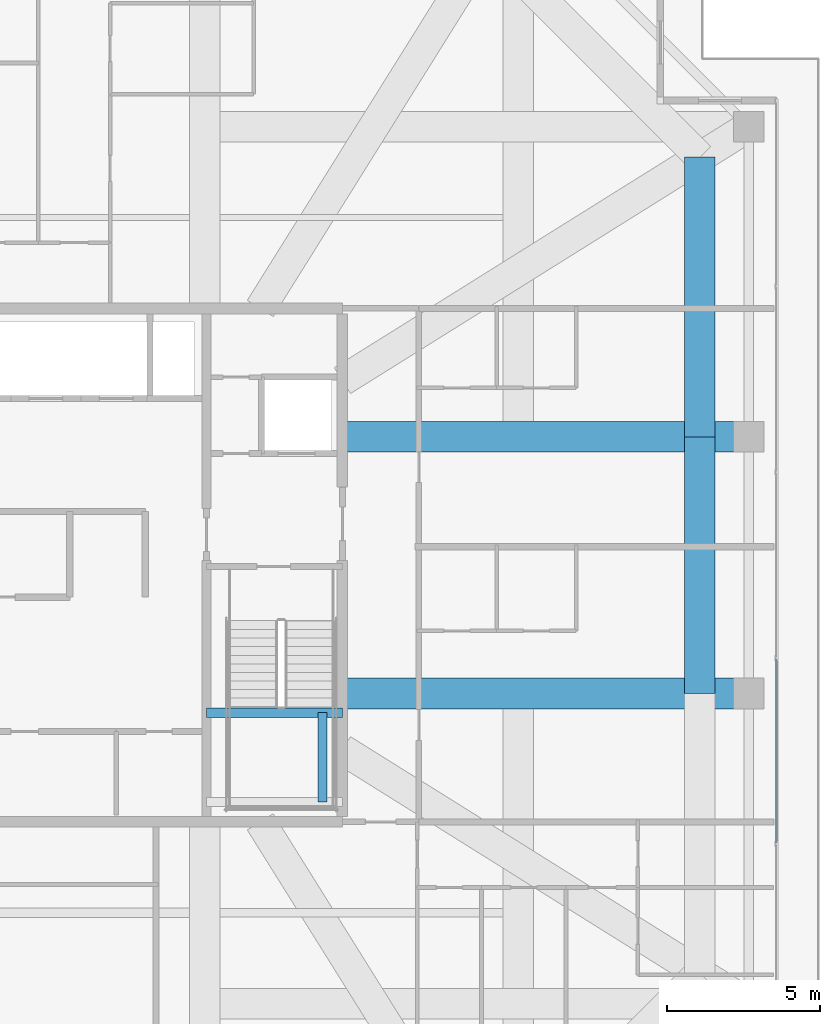
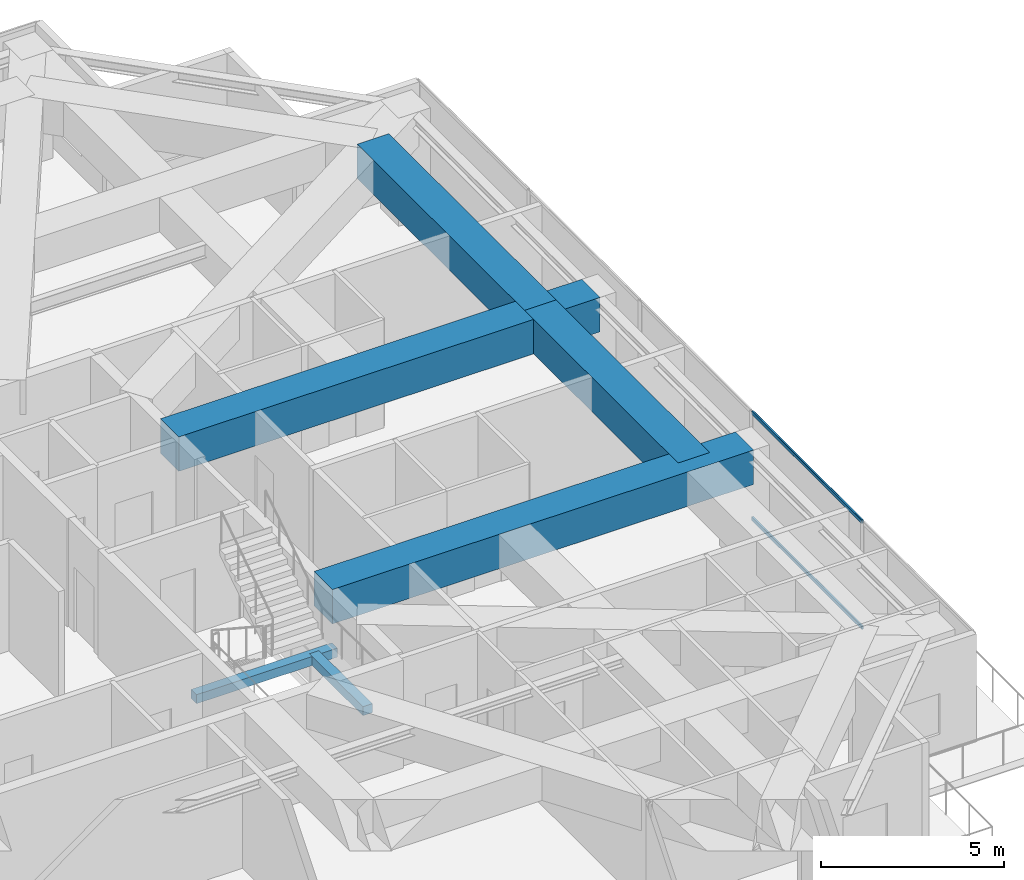
# One storey, part 18 of 40: 6 beams, 2 members, 1 element without a shape of its own.
"""IFC4 building model written with IfcOpenShell, lengths in metres."""

from ifc_helpers import new_model, si_unit, direction, frame, origin, origin_2d, place, context, subcontext, project, spatial, rectangle, hollow_rectangle, extrude, source, transform, mapped, material, layer, layer_set, material_profile, profile_set, type_object, element, aggregate, save


model = new_model("IFC4")

# Units and contexts
model_context = context("Model", 3, precision=1e-05, world=origin(), true_north=direction((0.0, 1.0)))
body_context = subcontext(model_context, "Body", "Model", "MODEL_VIEW")
ifc_project = project(units=[si_unit("LENGTHUNIT", "METRE"), si_unit("AREAUNIT", "SQUARE_METRE"), si_unit("VOLUMEUNIT", "CUBIC_METRE"), si_unit("PLANEANGLEUNIT", "RADIAN"), si_unit("MASSUNIT", "GRAM", prefix="KILO")], contexts=[model_context])

# Site, building, storey
site_placement = place(None, origin())
site = spatial("IfcSite", under=ifc_project, at=site_placement, CompositionType="ELEMENT")
building_placement = place(site_placement, origin())
building = spatial("IfcBuilding", under=site, at=building_placement, Name="Serunith Strait Residences", CompositionType="ELEMENT")
storey_placement = place(building_placement, frame((0.0, 0.0, 333.949951171875)))
storey = spatial("IfcBuildingStorey", under=building, at=storey_placement, Name="L83", CompositionType="ELEMENT", Elevation=333.949951171875)

# Beams
ifc_material_1 = material(Name="Concrete C80/95", Category="concrete")
ifc_material_profile_1 = material_profile(ifc_material_1, rectangle(XDim=1.0, YDim=1.14990234375, at=origin_2d()), Name="RC 1000x1150")
ifc_profile_set_1 = profile_set([ifc_material_profile_1], Name="Concrete C80/95")
beam_type_1 = type_object("IfcBeamType", Name="BM-XFER-1000x1150", PredefinedType="BEAM", material=ifc_profile_set_1)
shared_shape_1 = source(origin(), body_context, "Body", "SweptSolid", [
    extrude(rectangle(XDim=1.0, YDim=1.14990234375, at=origin_2d()), origin(), (0.0, 0.0, 1.0), 8.39990234375),
])
beam_1_placement = place(storey_placement, frame((53.10009765625, 21.0, 3.03515625), z_axis=(0.0, 1.0, 0.0), x_axis=(-1.0, 0.0, 0.0)))
element("IfcBeam", 1, at=beam_1_placement, inside=storey, type_object=beam_type_1, Name="L83 Flare Upper Ring Transfer Girder 06", PredefinedType="BEAM", context=body_context, shape_type="MappedRepresentation", body=[
    mapped(shared_shape_1, transform((0.0, 0.0, 0.0), scale=1.0)),
])
shared_shape_2 = source(origin(), body_context, "Body", "SweptSolid", [
    extrude(rectangle(XDim=1.0, YDim=1.14990234375, at=origin_2d()), origin(), (0.0, 0.0, 1.0), 13.300048828125),
])
for number, where, z_axis, x_axis, name in (
    (2, (41.39990234375, 21.0, 3.03515625), (1.0, 0.0, 0.0), (0.0, 1.0, 0.0), "L83 Primary Floor Girder TC-E2"),
    (3, (41.39990234375, 29.39990234375, 3.03515625), (1.0, 0.0, 0.0), (0.0, 1.0, 0.0), "L83 Primary Floor Girder TC-E3"),
):
    element("IfcBeam", number, at=place(storey_placement, frame(where, z_axis=z_axis, x_axis=x_axis)), inside=storey, type_object=beam_type_1, Name=name, PredefinedType="BEAM", context=body_context, shape_type="MappedRepresentation", body=[
        mapped(shared_shape_2, transform((0.0, 0.0, 0.0), scale=1.0)),
    ])
shared_shape_3 = source(origin(), body_context, "Body", "SweptSolid", [
    extrude(rectangle(XDim=1.0, YDim=1.14990234375, at=origin_2d()), origin(), (0.0, 0.0, 1.0), 9.150146484375),
])
beam_2_placement = place(storey_placement, frame((53.10009765625, 29.39990234375, 3.03515625), z_axis=(0.0, 1.0, 0.0), x_axis=(-1.0, 0.0, 0.0)))
element("IfcBeam", 4, at=beam_2_placement, inside=storey, type_object=beam_type_1, Name="L83 Flare Upper Ring Transfer Girder 07", PredefinedType="BEAM", context=body_context, shape_type="MappedRepresentation", body=[
    mapped(shared_shape_3, transform((0.0, 0.0, 0.0), scale=1.0)),
])
ifc_material_2 = material(Name="Concrete C60/75", Category="concrete")
ifc_material_profile_2 = material_profile(ifc_material_2, rectangle(XDim=0.300048828125, YDim=0.300048828125, at=origin_2d()), Name="RC 300x300")
ifc_profile_set_2 = profile_set([ifc_material_profile_2], Name="Concrete C60/75")
beam_type_2 = type_object("IfcBeamType", Name="BM-LAND-300x300", PredefinedType="BEAM", material=ifc_profile_set_2)
shared_shape_4 = source(origin(), body_context, "Body", "SweptSolid", [
    extrude(rectangle(XDim=0.300048828125, YDim=0.300048828125, at=origin_2d()), origin(), (0.0, 0.0, 1.0), 4.449951171875),
])
beam_3_placement = place(storey_placement, frame((36.949951171875, 20.3701171875, 1.675048828125), z_axis=(1.0, 0.0, 0.0), x_axis=(0.0, 1.0, 0.0)))
element("IfcBeam", 5, at=beam_3_placement, inside=storey, type_object=beam_type_2, Name="L83 ST-2 Landing Support Beam 2", PredefinedType="BEAM", context=body_context, shape_type="MappedRepresentation", body=[
    mapped(shared_shape_4, transform((0.0, 0.0, 0.0), scale=1.0)),
])
shared_shape_5 = source(origin(), body_context, "Body", "SweptSolid", [
    extrude(rectangle(XDim=0.300048828125, YDim=0.300048828125, at=origin_2d()), origin(), (0.0, 0.0, 1.0), 2.920166015625),
])
beam_4_placement = place(storey_placement, frame((40.75, 17.449951171875, 1.675048828125), z_axis=(0.0, 1.0, 0.0), x_axis=(-1.0, 0.0, 0.0)))
element("IfcBeam", 6, at=beam_4_placement, inside=storey, type_object=beam_type_2, Name="L83 ST-2 Landing Transverse Tie Beam", PredefinedType="BEAM", context=body_context, shape_type="MappedRepresentation", body=[
    mapped(shared_shape_5, transform((0.0, 0.0, 0.0), scale=1.0)),
])

# Curtain wall, members
ifc_material_3 = material(Name="Brushed Stainless-Silver Aluminium", Category="aluminium")
ifc_layer = layer(ifc_material_3, 0.199951171875, Name="Brushed Stainless-Silver Aluminium")
ifc_layer_set = layer_set([ifc_layer], Name="Brushed Stainless-Silver Aluminium")
curtain_wall_type = type_object("IfcCurtainWallType", Name="CW-SYS5", PredefinedType="NOTDEFINED", material=ifc_layer_set)
curtain_wall_placement = place(storey_placement, origin())
curtain_wall = element("IfcCurtainWall", 7, at=curtain_wall_placement, inside=storey, type_object=curtain_wall_type, Name="L83 E Unitised Fritted Curtain Wall", PredefinedType="NOTDEFINED")
ifc_material_profile_3 = material_profile(ifc_material_3, hollow_rectangle(XDim=0.06005859375, YDim=0.1201171875, WallThickness=0.00341796875, InnerFilletRadius=0.00537109375, OuterFilletRadius=0.0087890625, at=origin_2d()), Name="ALU 120x60x3.5")
ifc_profile_set_3 = profile_set([ifc_material_profile_3], Name="Brushed Stainless-Silver Aluminium")
member_type = type_object("IfcMemberType", Name="CW-SYS5-TRAN", PredefinedType="USERDEFINED", material=ifc_profile_set_3)
shared_shape_6 = source(origin(), body_context, "Body", "SweptSolid", [
    extrude(hollow_rectangle(XDim=0.06005859375, YDim=0.1201171875, WallThickness=0.00341796875, InnerFilletRadius=0.00537109375, OuterFilletRadius=0.0087890625, at=origin_2d()), origin(), (0.0, 0.0, 1.0), 6.014892578125),
])
member_1_placement = place(storey_placement, frame((55.60009765625, 16.112548828125, 0.030029296875), z_axis=(0.0, 1.0, 0.0), x_axis=(-1.0, 0.0, 0.0)))
member_1 = element("IfcMember", 8, at=member_1_placement, type_object=member_type, Name="CW-5 transom 2.1", ObjectType="TRANSOM", PredefinedType="USERDEFINED", context=body_context, shape_type="MappedRepresentation", body=[
    mapped(shared_shape_6, transform((0.0, 0.0, 0.0), scale=1.0)),
])
member_2_placement = place(storey_placement, frame((55.60009765625, 16.112548828125, 3.56494140625), z_axis=(0.0, 1.0, 0.0), x_axis=(-1.0, 0.0, 0.0)))
member_2 = element("IfcMember", 9, at=member_2_placement, type_object=member_type, Name="CW-5 transom 2.2", ObjectType="TRANSOM", PredefinedType="USERDEFINED", context=body_context, shape_type="MappedRepresentation", body=[
    mapped(shared_shape_6, transform((0.0, 0.0, 0.0), scale=1.0)),
])
aggregate(curtain_wall, [member_1, member_2])

save(model, "model.ifc")
